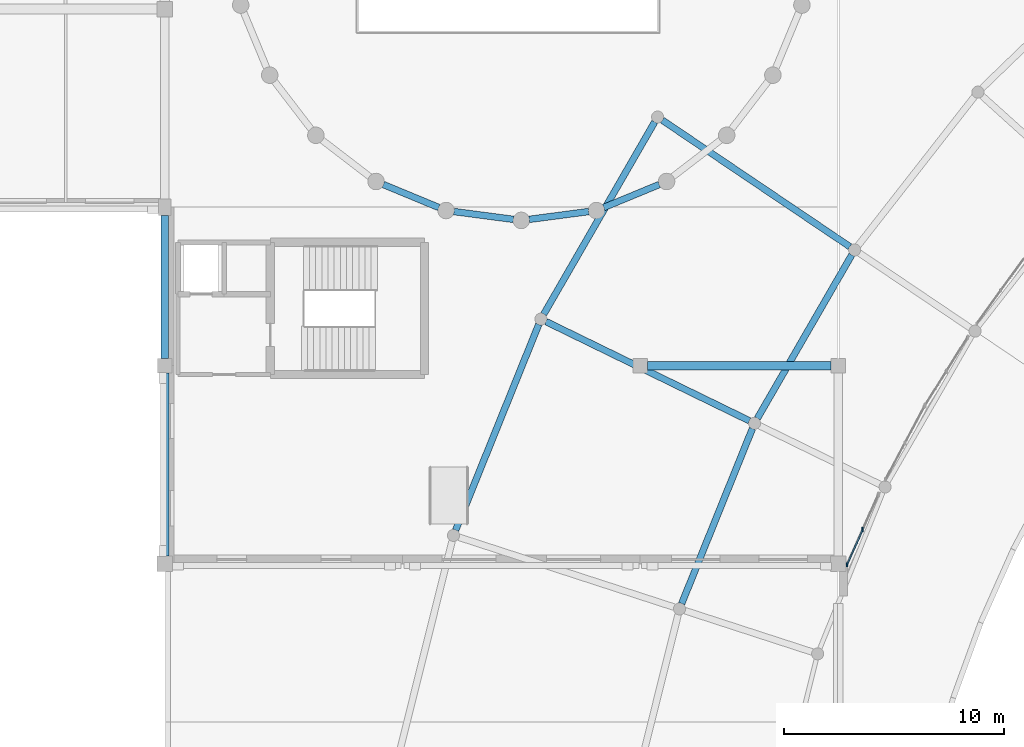
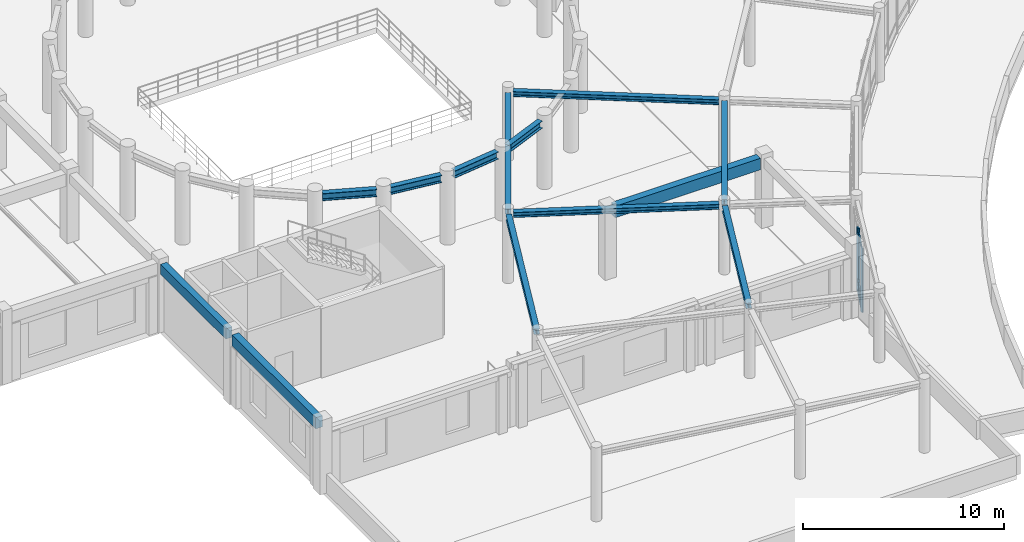
# One storey, part 6 of 62: 13 beams, 5 members, 1 element without a shape of its own.
"""IFC4 building model written with IfcOpenShell, lengths in metres."""

from ifc_helpers import new_model, si_unit, direction, frame, origin, origin_2d, place, context, subcontext, project, spatial, rectangle, i_section, extrude, material, material_profile, profile_set, type_object, element, aggregate, save


model = new_model("IFC4")

# Units and contexts
model_context = context("Model", 3, precision=1e-05, world=origin(), true_north=direction((0.0, 1.0)))
body_context = subcontext(model_context, "Body", "Model", "MODEL_VIEW")
ifc_project = project(units=[si_unit("LENGTHUNIT", "METRE"), si_unit("AREAUNIT", "SQUARE_METRE"), si_unit("VOLUMEUNIT", "CUBIC_METRE"), si_unit("PLANEANGLEUNIT", "RADIAN"), si_unit("MASSUNIT", "GRAM", prefix="KILO")], contexts=[model_context])

# Site, building, storey
site_placement = place(None, origin())
site = spatial("IfcSite", under=ifc_project, at=site_placement, CompositionType="ELEMENT")
building_placement = place(site_placement, origin())
building = spatial("IfcBuilding", under=site, at=building_placement, Name="Clarverna Civic Hall", CompositionType="ELEMENT")
storey_placement = place(building_placement, frame((0.0, 0.0, 5.10009765625)))
storey = spatial("IfcBuildingStorey", under=building, at=storey_placement, Name="L01", CompositionType="ELEMENT", Elevation=5.10009765625)

# Beams
ifc_material_1 = material(Name="Concrete C35/45", Category="concrete")
ifc_material_profile_1 = material_profile(ifc_material_1, rectangle(XDim=0.39990234375, YDim=0.699951171875, at=origin_2d()), Name="RC 400x700")
ifc_profile_set_1 = profile_set([ifc_material_profile_1], Name="Concrete C35/45")
beam_type_1 = type_object("IfcBeamType", Name="B-RC5", PredefinedType="BEAM", material=ifc_profile_set_1)
beam_1_placement = place(storey_placement, frame((88.52490234375, 39.199951171875, 3.869873046875), z_axis=(1.0, 0.0, 0.0), x_axis=(0.0, 1.0, 0.0)))
element("IfcBeam", 1, at=beam_1_placement, inside=storey, type_object=beam_type_1, Name="B-RC5-022", PredefinedType="BEAM", context=body_context, shape_type="SweptSolid", body=[
    extrude(rectangle(XDim=0.39990234375, YDim=0.699951171875, at=origin_2d()), origin(), (0.0, 0.0, 1.0), 8.35009765625),
])
ifc_material_profile_2 = material_profile(ifc_material_1, rectangle(XDim=0.3798828125, YDim=0.679931640625, at=origin_2d()), Name="RC 380x680")
ifc_profile_set_2 = profile_set([ifc_material_profile_2], Name="Concrete C35/45")
beam_type_2 = type_object("IfcBeamType", Name="B-SP2", PredefinedType="SPANDREL", material=ifc_profile_set_2)
beam_2_placement = place(storey_placement, frame((66.60009765625, 30.550048828125, 3.8798828125), z_axis=(0.0, 1.0, 0.0), x_axis=(-1.0, 0.0, 0.0)))
element("IfcBeam", 2, at=beam_2_placement, inside=storey, type_object=beam_type_2, Name="B-SP2-076", PredefinedType="SPANDREL", context=body_context, shape_type="SweptSolid", body=[
    extrude(rectangle(XDim=0.3798828125, YDim=0.679931640625, at=origin_2d()), origin(), (0.0, 0.0, 1.0), 8.324951171875),
])
ifc_material_profile_3 = material_profile(ifc_material_1, rectangle(XDim=0.360107421875, YDim=0.6201171875, at=origin_2d()), Name="RC 360x620")
ifc_profile_set_3 = profile_set([ifc_material_profile_3], Name="Concrete C35/45")
beam_type_3 = type_object("IfcBeamType", Name="B-SP3", PredefinedType="SPANDREL", material=ifc_profile_set_3)
beam_3_placement = place(storey_placement, frame((66.60009765625, 39.52490234375, 3.869873046875), z_axis=(0.0, 1.0, 0.0), x_axis=(-1.0, 0.0, 0.0)))
element("IfcBeam", 3, at=beam_3_placement, inside=storey, type_object=beam_type_3, Name="B-SP3-076", PredefinedType="SPANDREL", context=body_context, shape_type="SweptSolid", body=[
    extrude(rectangle(XDim=0.360107421875, YDim=0.6201171875, at=origin_2d()), origin(), (0.0, 0.0, 1.0), 6.5),
])
ifc_material_2 = material(Name="Steel S355", Category="steel")
ifc_material_profile_4 = material_profile(ifc_material_2, i_section(OverallWidth=0.300048828125, OverallDepth=0.43994140625, WebThickness=0.011474609375, FlangeThickness=0.02099609375, FilletRadius=0.027099609375, at=origin_2d()), Name="HEA 450")
ifc_profile_set_4 = profile_set([ifc_material_profile_4], Name="Steel S355")
beam_type_4 = type_object("IfcBeamType", Name="B-ST5", PredefinedType="BEAM", material=ifc_profile_set_4)
beam_4_placement = place(storey_placement, frame((76.53271484375, 47.4306640625, 3.9599609375), z_axis=(0.923898940045, -0.382636575073, 0.0), x_axis=(0.382636575073, 0.923898940045, 0.0)))
element("IfcBeam", 4, at=beam_4_placement, inside=storey, type_object=beam_type_4, Name="B-ST5-072", PredefinedType="BEAM", context=body_context, shape_type="SweptSolid", body=[
    extrude(i_section(OverallWidth=0.300048828125, OverallDepth=0.43994140625, WebThickness=0.011474609375, FlangeThickness=0.02099609375, FilletRadius=0.027099609375, at=origin_2d()), origin(), (0.0, 0.0, 1.0), 2.725830078125),
])
for number, where, z_axis, x_axis, name in (
    (5, (79.740478515625, 46.202880859375, 3.9599609375), (0.991437826512, -0.130579616175, 0.0), (0.130579616175, 0.991437826512, 0.0), "B-ST5-073"),
    (6, (83.156982421875, 45.846923828125, 3.9599609375), (0.991437826512, 0.130579616175, 0.0), (-0.130579616175, 0.991437826512, 0.0), "B-ST5-074"),
):
    element("IfcBeam", number, at=place(storey_placement, frame(where, z_axis=z_axis, x_axis=x_axis)), inside=storey, type_object=beam_type_4, Name=name, PredefinedType="BEAM", context=body_context, shape_type="SweptSolid", body=[
        extrude(i_section(OverallWidth=0.300048828125, OverallDepth=0.43994140625, WebThickness=0.011474609375, FlangeThickness=0.02099609375, FilletRadius=0.027099609375, at=origin_2d()), origin(), (0.0, 0.0, 1.0), 2.72607421875),
    ])
beam_5_placement = place(storey_placement, frame((86.549072265625, 46.3876953125, 3.9599609375), z_axis=(0.923898940045, 0.382636575073, 0.0), x_axis=(-0.382636575073, 0.923898940045, 0.0)))
element("IfcBeam", 7, at=beam_5_placement, inside=storey, type_object=beam_type_4, Name="B-ST5-075", PredefinedType="BEAM", context=body_context, shape_type="SweptSolid", body=[
    extrude(i_section(OverallWidth=0.300048828125, OverallDepth=0.43994140625, WebThickness=0.011474609375, FlangeThickness=0.02099609375, FilletRadius=0.027099609375, at=origin_2d()), origin(), (0.0, 0.0, 1.0), 2.725830078125),
])
ifc_material_profile_5 = material_profile(ifc_material_2, i_section(OverallWidth=0.300048828125, OverallDepth=0.330078125, WebThickness=0.009521484375, FlangeThickness=0.0166015625, FilletRadius=0.027099609375, at=origin_2d()), Name="HEA 340")
ifc_profile_set_5 = profile_set([ifc_material_profile_5], Name="Steel S355")
beam_type_5 = type_object("IfcBeamType", Name="B-ST8", PredefinedType="BEAM", material=ifc_profile_set_5)
for number, where, z_axis, x_axis, name in (
    (8, (97.81689453125, 44.234130859375, 4.054931640625), (-0.500018149796, -0.866014924741, 0.0), (0.866014924741, -0.500018149796, 0.0), "B-ST8-064"),
    (9, (93.30126953125, 36.3408203125, 4.054931640625), (-0.374617894384, -0.927179288599, 0.0), (0.927179288599, -0.374617894384, 0.0), "B-ST8-065"),
):
    element("IfcBeam", number, at=place(storey_placement, frame(where, z_axis=z_axis, x_axis=x_axis)), inside=storey, type_object=beam_type_5, Name=name, PredefinedType="BEAM", context=body_context, shape_type="SweptSolid", body=[
        extrude(i_section(OverallWidth=0.300048828125, OverallDepth=0.330078125, WebThickness=0.009521484375, FlangeThickness=0.0166015625, FilletRadius=0.027099609375, at=origin_2d()), origin(), (0.0, 0.0, 1.0), 8.576416015625),
    ])
beam_6_placement = place(storey_placement, frame((88.863037109375, 50.2734375, 4.014892578125), z_axis=(-0.499990743136, -0.866030748172, 0.0), x_axis=(0.866030748172, -0.499990743136, 0.0)))
element("IfcBeam", 10, at=beam_6_placement, inside=storey, type_object=beam_type_5, Name="B-ST8-071", PredefinedType="BEAM", context=body_context, shape_type="SweptSolid", body=[
    extrude(i_section(OverallWidth=0.300048828125, OverallDepth=0.330078125, WebThickness=0.009521484375, FlangeThickness=0.0166015625, FilletRadius=0.027099609375, at=origin_2d()), origin(), (0.0, 0.0, 1.0), 10.082763671875),
])
beam_7_placement = place(storey_placement, frame((83.59423828125, 41.0751953125, 4.054931640625), z_axis=(-0.374598761369, -0.927187018881, 0.0), x_axis=(0.927187018881, -0.374598761369, 0.0)))
element("IfcBeam", 11, at=beam_7_placement, inside=storey, type_object=beam_type_5, Name="B-ST8-072", PredefinedType="BEAM", context=body_context, shape_type="SweptSolid", body=[
    extrude(i_section(OverallWidth=0.300048828125, OverallDepth=0.330078125, WebThickness=0.009521484375, FlangeThickness=0.0166015625, FilletRadius=0.027099609375, at=origin_2d()), origin(), (0.0, 0.0, 1.0), 10.0830078125),
])
ifc_material_profile_6 = material_profile(ifc_material_2, i_section(OverallWidth=0.300048828125, OverallDepth=0.31005859375, WebThickness=0.009033203125, FlangeThickness=0.015380859375, FilletRadius=0.027099609375, at=origin_2d()), Name="HEA 320")
ifc_profile_set_6 = profile_set([ifc_material_profile_6], Name="Steel S355")
beam_type_6 = type_object("IfcBeamType", Name="B-ST9", PredefinedType="BEAM", material=ifc_profile_set_6)
beam_8_placement = place(storey_placement, frame((97.731201171875, 44.604736328125, 4.02490234375), z_axis=(-0.829034746367, 0.559197093444, 0.0), x_axis=(-0.559197093444, -0.829034746367, 0.0)))
element("IfcBeam", 12, at=beam_8_placement, inside=storey, type_object=beam_type_6, Name="B-ST9-068", PredefinedType="BEAM", context=body_context, shape_type="SweptSolid", body=[
    extrude(i_section(OverallWidth=0.300048828125, OverallDepth=0.31005859375, WebThickness=0.009033203125, FlangeThickness=0.015380859375, FilletRadius=0.027099609375, at=origin_2d()), origin(), (0.0, 0.0, 1.0), 10.280029296875),
])
beam_9_placement = place(storey_placement, frame((93.164794921875, 36.69580078125, 4.06494140625), z_axis=(-0.898796290324, 0.438366545826, 0.0), x_axis=(-0.438366545826, -0.898796290324, 0.0)))
element("IfcBeam", 13, at=beam_9_placement, inside=storey, type_object=beam_type_6, Name="B-ST9-070", PredefinedType="BEAM", context=body_context, shape_type="SweptSolid", body=[
    extrude(i_section(OverallWidth=0.300048828125, OverallDepth=0.31005859375, WebThickness=0.009033203125, FlangeThickness=0.015380859375, FilletRadius=0.027099609375, at=origin_2d()), origin(), (0.0, 0.0, 1.0), 10.27978515625),
])

# Curtain wall, members
ifc_material_3 = material(Name="Anodised Bronze Architectural Aluminium", Category="aluminium")
curtain_wall_type = type_object("IfcCurtainWallType", Name="CW-03", PredefinedType="USERDEFINED", material=ifc_material_3)
curtain_wall_placement = place(storey_placement, origin())
curtain_wall = element("IfcCurtainWall", 14, at=curtain_wall_placement, inside=storey, type_object=curtain_wall_type, Name="CW-03-047", ObjectType="UNITISED CURTAIN WALL", PredefinedType="USERDEFINED")
ifc_material_profile_7 = material_profile(ifc_material_3, rectangle(XDim=0.06494140625, YDim=0.199951171875, at=origin_2d()), Name="BRONZE 65x200")
ifc_profile_set_7 = profile_set([ifc_material_profile_7], Name="Anodised Bronze Architectural Aluminium")
member_type_1 = type_object("IfcMemberType", Name="CWM-03", PredefinedType="MULLION", material=ifc_profile_set_7)
member_1_placement = place(storey_placement, frame((98.313720703125, 31.748291015625, 0.0), z_axis=(0.0, 0.0, 1.0), x_axis=(1.0, 0.0, 0.0)))
member_1 = element("IfcMember", 15, at=member_1_placement, type_object=member_type_1, Name="CWM-03-057", PredefinedType="MULLION", context=body_context, shape_type="SweptSolid", body=[
    extrude(rectangle(XDim=0.06494140625, YDim=0.199951171875, at=origin_2d()), origin(), (0.0, 0.0, 1.0), 3.909912109375),
])
member_2_placement = place(storey_placement, frame((97.603515625, 30.1533203125, 0.0), z_axis=(0.0, 0.0, 1.0), x_axis=(1.0, 0.0, 0.0)))
member_2 = element("IfcMember", 16, at=member_2_placement, type_object=member_type_1, Name="CWM-03-058", PredefinedType="MULLION", context=body_context, shape_type="SweptSolid", body=[
    extrude(rectangle(XDim=0.06494140625, YDim=0.199951171875, at=origin_2d()), origin(), (0.0, 0.0, 1.0), 3.909912109375),
])
ifc_material_profile_8 = material_profile(ifc_material_3, rectangle(XDim=0.06494140625, YDim=0.169921875, at=origin_2d()), Name="BRONZE 65x170")
ifc_profile_set_8 = profile_set([ifc_material_profile_8], Name="Anodised Bronze Architectural Aluminium")
member_type_2 = type_object("IfcMemberType", Name="CWT-03", PredefinedType="USERDEFINED", material=ifc_profile_set_8)
member_3_placement = place(storey_placement, frame((98.3076171875, 31.734619140625, 0.094970703125), z_axis=(-0.406758800512, -0.913535592195, 0.0), x_axis=(0.913535592195, -0.406758800512, 0.0)))
member_3 = element("IfcMember", 17, at=member_3_placement, type_object=member_type_2, Name="CWT-03-118", ObjectType="TRANSOM", PredefinedType="USERDEFINED", context=body_context, shape_type="SweptSolid", body=[
    extrude(rectangle(XDim=0.06494140625, YDim=0.169921875, at=origin_2d()), origin(), (0.0, 0.0, 1.0), 1.716064453125),
])
member_4_placement = place(storey_placement, frame((98.3076171875, 31.734619140625, 0.75), z_axis=(-0.406758800512, -0.913535592195, 0.0), x_axis=(0.913535592195, -0.406758800512, 0.0)))
member_4 = element("IfcMember", 18, at=member_4_placement, type_object=member_type_2, Name="CWT-03-119", ObjectType="TRANSOM", PredefinedType="USERDEFINED", context=body_context, shape_type="SweptSolid", body=[
    extrude(rectangle(XDim=0.06494140625, YDim=0.169921875, at=origin_2d()), origin(), (0.0, 0.0, 1.0), 1.716064453125),
])
member_5_placement = place(storey_placement, frame((98.3076171875, 31.734619140625, 3.81494140625), z_axis=(-0.406758800512, -0.913535592195, 0.0), x_axis=(0.913535592195, -0.406758800512, 0.0)))
member_5 = element("IfcMember", 19, at=member_5_placement, type_object=member_type_2, Name="CWT-03-120", ObjectType="TRANSOM", PredefinedType="USERDEFINED", context=body_context, shape_type="SweptSolid", body=[
    extrude(rectangle(XDim=0.06494140625, YDim=0.169921875, at=origin_2d()), origin(), (0.0, 0.0, 1.0), 1.716064453125),
])
aggregate(curtain_wall, [member_1, member_2, member_3, member_4, member_5])

save(model, "model.ifc")
